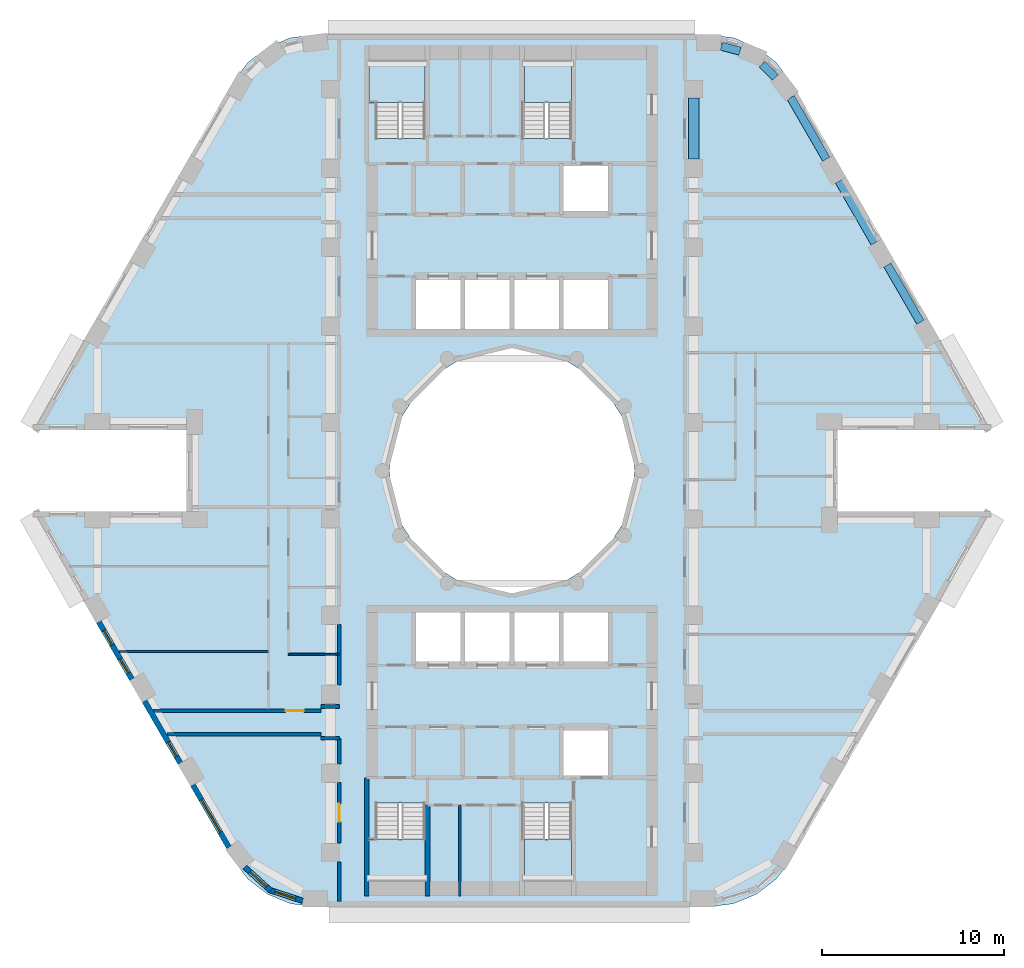
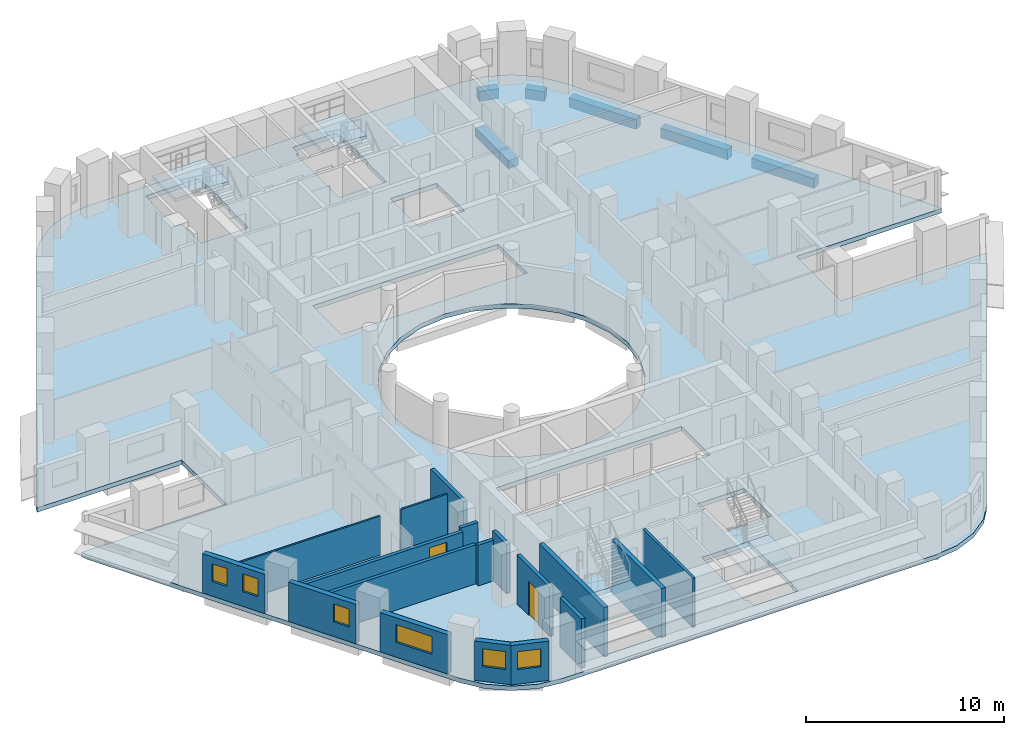
# One storey, part 2 of 12: 18 walls, 6 beams, 6 windows, 5 slabs, 2 doors, 8 openings, 4 elements without a shape of their own.
"""IFC4 building model written with IfcOpenShell, lengths in metres."""

from ifc_helpers import new_model, si_unit, direction, frame, frame_2d, origin, origin_2d, place, context, subcontext, project, spatial, polyline, rectangle, outline, extrude, material, layer, layer_set, material_profile, profile_set, type_object, element, fill, aggregate, save


model = new_model("IFC4")

# Units and contexts
model_context = context("Model", 3, precision=1e-05, world=origin(), true_north=direction((0.0, 1.0)))
body_context = subcontext(model_context, "Body", "Model", "MODEL_VIEW")
ifc_project = project(units=[si_unit("LENGTHUNIT", "METRE"), si_unit("AREAUNIT", "SQUARE_METRE"), si_unit("VOLUMEUNIT", "CUBIC_METRE"), si_unit("PLANEANGLEUNIT", "RADIAN"), si_unit("MASSUNIT", "GRAM", prefix="KILO")], contexts=[model_context])

# Site, building, storey
site_placement = place(None, origin())
site = spatial("IfcSite", under=ifc_project, at=site_placement, CompositionType="ELEMENT")
building_placement = place(site_placement, origin())
building = spatial("IfcBuilding", under=site, at=building_placement, Name="Nakaniwa Court", CompositionType="ELEMENT")
storey_placement = place(building_placement, frame((0.0, 0.0, 104.10009765625)))
storey = spatial("IfcBuildingStorey", under=building, at=storey_placement, Name="L27", CompositionType="ELEMENT", Elevation=104.10009765625)

# Beams
ifc_material_1 = material(Name="Concrete C80/100", Category="concrete")
ifc_material_profile_1 = material_profile(ifc_material_1, rectangle(XDim=0.449951171875, YDim=0.60009765625, at=origin_2d()), Name="Concrete C80/100 RC 450x600 spandrel beam")
ifc_profile_set_1 = profile_set([ifc_material_profile_1], Name="Concrete C80/100")
beam_type_1 = type_object("IfcBeamType", Name="Concrete C80/100 RC 450x600 spandrel beam", PredefinedType="BEAM", material=ifc_profile_set_1)
beam_1_placement = place(storey_placement, frame((102.472900390625, 88.17578125, -0.5751953125), z_axis=(-0.499988394233, 0.866032104273, 0.0), x_axis=(-0.866032104273, -0.499988394233, 0.0)))
element("IfcBeam", 1, at=beam_1_placement, inside=storey, type_object=beam_type_1, Name="SPANDREL BEAM", PredefinedType="BEAM", context=body_context, shape_type="SweptSolid", body=[
    extrude(rectangle(XDim=0.449951171875, YDim=0.60009765625, at=origin_2d()), origin(), (0.0, 0.0, 1.0), 3.62890625),
])
beam_2_placement = place(storey_placement, frame((99.95849609375, 92.531005859375, -0.5751953125), z_axis=(-0.49999161165, 0.866030246746, 0.0), x_axis=(-0.866030246746, -0.49999161165, 0.0)))
element("IfcBeam", 2, at=beam_2_placement, inside=storey, type_object=beam_type_1, Name="SPANDREL BEAM", PredefinedType="BEAM", context=body_context, shape_type="SweptSolid", body=[
    extrude(rectangle(XDim=0.449951171875, YDim=0.60009765625, at=origin_2d()), origin(), (0.0, 0.0, 1.0), 3.92578125),
])
beam_3_placement = place(storey_placement, frame((97.29541015625, 97.143310546875, -0.5751953125), z_axis=(-0.499997407846, 0.86602690036, 0.0), x_axis=(-0.86602690036, -0.499997407846, 0.0)))
element("IfcBeam", 3, at=beam_3_placement, inside=storey, type_object=beam_type_1, Name="SPANDREL BEAM", PredefinedType="BEAM", context=body_context, shape_type="SweptSolid", body=[
    extrude(rectangle(XDim=0.449951171875, YDim=0.60009765625, at=origin_2d()), origin(), (0.0, 0.0, 1.0), 3.919921875),
])
beam_4_placement = place(storey_placement, frame((94.484130859375, 101.6494140625, -0.5751953125), z_axis=(-0.705911336947, 0.7083002078, 0.0), x_axis=(-0.7083002078, -0.705911336947, 0.0)))
element("IfcBeam", 4, at=beam_4_placement, inside=storey, type_object=beam_type_1, Name="SPANDREL BEAM", PredefinedType="BEAM", context=body_context, shape_type="SweptSolid", body=[
    extrude(rectangle(XDim=0.449951171875, YDim=0.60009765625, at=origin_2d()), origin(), (0.0, 0.0, 1.0), 1.02197265625),
])
beam_5_placement = place(storey_placement, frame((92.544921875, 103.091796875, -0.5751953125), z_axis=(-0.966315487466, 0.257360406209, 0.0), x_axis=(-0.257360406209, -0.966315487466, 0.0)))
element("IfcBeam", 5, at=beam_5_placement, inside=storey, type_object=beam_type_1, Name="SPANDREL BEAM", PredefinedType="BEAM", context=body_context, shape_type="SweptSolid", body=[
    extrude(rectangle(XDim=0.449951171875, YDim=0.60009765625, at=origin_2d()), origin(), (0.0, 0.0, 1.0), 1.055908203125),
])
ifc_material_profile_2 = material_profile(ifc_material_1, rectangle(XDim=0.60009765625, YDim=0.5, at=origin_2d()), Name="Concrete C80/100 RC 600x500 ring beam")
ifc_profile_set_2 = profile_set([ifc_material_profile_2], Name="Concrete C80/100")
beam_type_2 = type_object("IfcBeamType", Name="Concrete C80/100 RC 600x500 ring beam", PredefinedType="BEAM", material=ifc_profile_set_2)
beam_6_placement = place(storey_placement, frame((90.0, 97.14990234375, -0.525146484375), z_axis=(0.0, 1.0, 0.0), x_axis=(-1.0, 0.0, 0.0)))
element("IfcBeam", 6, at=beam_6_placement, inside=storey, type_object=beam_type_2, Name="RING BEAM", PredefinedType="BEAM", context=body_context, shape_type="SweptSolid", body=[
    extrude(rectangle(XDim=0.60009765625, YDim=0.5, at=origin_2d()), origin(), (0.0, 0.0, 1.0), 3.35009765625),
])

# Slab
ifc_layer_1 = layer(ifc_material_1, 0.27490234375)
ifc_layer_set_1 = layer_set([ifc_layer_1], Name="Concrete C80/100")
slab_type_1 = type_object("IfcSlabType", Name="Concrete C80/100 post tensioned floor slab 275", PredefinedType="FLOOR", material=ifc_layer_set_1)
slab_1_placement = place(storey_placement, frame((0.0, 0.0, -0.275146484375)))
element("IfcSlab", 7, at=slab_1_placement, inside=storey, type_object=slab_type_1, Name="FLOOR SLAB", PredefinedType="FLOOR", context=body_context, shape_type="SweptSolid", body=[
    extrude(outline(polyline([(97.908447265625, 82.25), (106.356689453125, 82.25), (106.211669921875, 82.60009765625), (95.357421875, 101.39990234375), (94.531005859375, 102.47705078125), (93.4541015625, 103.30322265625), (92.199951171875, 103.82275390625), (90.854248046875, 104.0), (69.145751953125, 104.0), (67.800048828125, 103.82275390625), (66.5458984375, 103.30322265625), (65.468994140625, 102.47705078125), (64.642578125, 101.39990234375), (53.788330078125, 82.60009765625), (53.643310546875, 82.25), (62.091552734375, 82.25), (62.091552734375, 77.75), (53.643310546875, 77.75), (53.788330078125, 77.39990234375), (64.642578125, 58.60009765625), (65.468994140625, 57.52294921875), (66.5458984375, 56.69677734375), (67.800048828125, 56.17724609375), (69.145751953125, 56.0), (90.854248046875, 56.0), (92.199951171875, 56.17724609375), (93.4541015625, 56.69677734375), (94.531005859375, 57.52294921875), (95.357421875, 58.60009765625), (106.211669921875, 77.39990234375), (106.356689453125, 77.75), (97.908447265625, 77.75), (97.908447265625, 82.25)]), holes=[polyline([(81.501953125, 86.580810546875), (80.0, 86.75), (78.498046875, 86.580810546875), (77.0712890625, 86.08154296875), (75.79150390625, 85.27734375), (74.72265625, 84.20849609375), (73.91845703125, 82.9287109375), (73.419189453125, 81.501953125), (73.25, 80.0), (73.419189453125, 78.498046875), (73.91845703125, 77.0712890625), (74.72265625, 75.79150390625), (75.79150390625, 74.72265625), (77.0712890625, 73.91845703125), (78.498046875, 73.419189453125), (80.0, 73.25), (81.501953125, 73.419189453125), (82.9287109375, 73.91845703125), (84.20849609375, 74.72265625), (85.27734375, 75.79150390625), (86.08154296875, 77.0712890625), (86.580810546875, 78.498046875), (86.75, 80.0), (86.580810546875, 81.501953125), (86.08154296875, 82.9287109375), (85.27734375, 84.20849609375), (84.20849609375, 85.27734375), (82.9287109375, 86.08154296875), (81.501953125, 86.580810546875)]), polyline([(75.264892578125, 57.360107421875), (75.264892578125, 59.764892578125), (75.22509765625, 59.764892578125), (75.22509765625, 61.7099609375), (72.47509765625, 61.7099609375), (72.47509765625, 59.764892578125), (72.0849609375, 59.764892578125), (72.0849609375, 57.360107421875), (72.125, 57.360107421875), (72.125, 56.72509765625), (75.22509765625, 56.72509765625), (75.22509765625, 57.324951171875), (75.22509765625, 57.360107421875), (75.264892578125, 57.360107421875)]), polyline([(80.0, 69.300048828125), (82.699951171875, 69.300048828125), (85.39990234375, 69.300048828125), (85.39990234375, 72.199951171875), (82.699951171875, 72.199951171875), (80.0, 72.199951171875), (77.300048828125, 72.199951171875), (74.60009765625, 72.199951171875), (74.60009765625, 69.300048828125), (77.300048828125, 69.300048828125), (80.0, 69.300048828125)]), polyline([(80.0, 87.800048828125), (82.699951171875, 87.800048828125), (85.39990234375, 87.800048828125), (85.39990234375, 90.699951171875), (82.699951171875, 90.699951171875), (80.0, 90.699951171875), (77.300048828125, 90.699951171875), (74.60009765625, 90.699951171875), (74.60009765625, 87.800048828125), (77.300048828125, 87.800048828125), (80.0, 87.800048828125)]), polyline([(75.264892578125, 100.235107421875), (75.264892578125, 102.639892578125), (75.22509765625, 102.639892578125), (75.22509765625, 102.675048828125), (75.22509765625, 103.27490234375), (72.125, 103.27490234375), (72.125, 102.639892578125), (72.0849609375, 102.639892578125), (72.0849609375, 100.235107421875), (72.47509765625, 100.235107421875), (72.47509765625, 98.2900390625), (75.22509765625, 98.2900390625), (75.22509765625, 100.235107421875), (75.264892578125, 100.235107421875)]), polyline([(83.27490234375, 61.7099609375), (80.52490234375, 61.7099609375), (80.52490234375, 57.324951171875), (80.675048828125, 57.324951171875), (80.675048828125, 56.72509765625), (83.27490234375, 56.72509765625), (83.27490234375, 57.324951171875), (83.27490234375, 57.360107421875), (83.31494140625, 57.360107421875), (83.31494140625, 59.764892578125), (83.27490234375, 59.764892578125), (83.27490234375, 61.7099609375)]), polyline([(85.39990234375, 65.89990234375), (82.699951171875, 65.89990234375), (82.699951171875, 63.10009765625), (85.39990234375, 63.10009765625), (85.39990234375, 65.89990234375)]), polyline([(85.39990234375, 96.89990234375), (82.699951171875, 96.89990234375), (82.699951171875, 94.10009765625), (85.39990234375, 94.10009765625), (85.39990234375, 96.89990234375)]), polyline([(83.27490234375, 100.235107421875), (83.31494140625, 100.235107421875), (83.31494140625, 102.639892578125), (83.27490234375, 102.639892578125), (83.27490234375, 102.675048828125), (83.27490234375, 103.27490234375), (80.675048828125, 103.27490234375), (80.675048828125, 102.675048828125), (80.52490234375, 102.675048828125), (80.52490234375, 98.2900390625), (83.27490234375, 98.2900390625), (83.27490234375, 100.235107421875)])]), origin(), (0.0, 0.0, 1.0), 0.275146484375),
])

# Stair, slab
stair_type = type_object("IfcStairType", Name="Dog leg stair 1300 wide 18 risers", PredefinedType="HALF_TURN_STAIR", material=ifc_material_1)
stair_1_placement = place(storey_placement, origin())
stair_1 = element("IfcStair", 8, at=stair_1_placement, inside=storey, type_object=stair_type, Name="L27 Stair ST1", PredefinedType="HALF_TURN_STAIR")
ifc_layer_2 = layer(ifc_material_1, 0.199951171875)
ifc_layer_set_2 = layer_set([ifc_layer_2], Name="Concrete C80/100")
slab_type_2 = type_object("IfcSlabType", Name="Stair landing concrete", PredefinedType="LANDING", material=ifc_layer_set_2)
slab_2_placement = place(storey_placement, frame((0.0, 0.0, 1.449951171875)))
slab_2 = element("IfcSlab", 9, at=slab_2_placement, type_object=slab_type_2, Name="ST1 landing 1", PredefinedType="LANDING", context=body_context, shape_type="SweptSolid", body=[
    extrude(outline(polyline([(75.22509765625, 100.27490234375), (75.22509765625, 102.60009765625), (72.125, 102.60009765625), (72.125, 100.27490234375), (75.22509765625, 100.27490234375)])), origin(), (0.0, 0.0, 1.0), 0.199951171875),
])
aggregate(stair_1, [slab_2])

stair_2_placement = place(storey_placement, origin())
stair_2 = element("IfcStair", 10, at=stair_2_placement, inside=storey, type_object=stair_type, Name="L27 Stair ST2", PredefinedType="HALF_TURN_STAIR")
slab_3_placement = place(storey_placement, frame((0.0, 0.0, 1.449951171875)))
slab_3 = element("IfcSlab", 11, at=slab_3_placement, type_object=slab_type_2, Name="ST2 landing 1", PredefinedType="LANDING", context=body_context, shape_type="SweptSolid", body=[
    extrude(outline(polyline([(83.27490234375, 100.27490234375), (83.27490234375, 102.60009765625), (80.675048828125, 102.60009765625), (80.675048828125, 100.27490234375), (83.27490234375, 100.27490234375)])), origin(), (0.0, 0.0, 1.0), 0.199951171875),
])
aggregate(stair_2, [slab_3])

stair_3_placement = place(storey_placement, origin())
stair_3 = element("IfcStair", 12, at=stair_3_placement, inside=storey, type_object=stair_type, Name="L27 Stair ST3", PredefinedType="HALF_TURN_STAIR")
slab_4_placement = place(storey_placement, frame((0.0, 0.0, 1.449951171875)))
slab_4 = element("IfcSlab", 13, at=slab_4_placement, type_object=slab_type_2, Name="ST3 landing 1", PredefinedType="LANDING", context=body_context, shape_type="SweptSolid", body=[
    extrude(outline(polyline([(75.22509765625, 57.39990234375), (75.22509765625, 59.72509765625), (72.125, 59.72509765625), (72.125, 57.39990234375), (75.22509765625, 57.39990234375)])), origin(), (0.0, 0.0, 1.0), 0.199951171875),
])
aggregate(stair_3, [slab_4])

stair_4_placement = place(storey_placement, origin())
stair_4 = element("IfcStair", 14, at=stair_4_placement, inside=storey, type_object=stair_type, Name="L27 Stair ST4", PredefinedType="HALF_TURN_STAIR")
slab_5_placement = place(storey_placement, frame((0.0, 0.0, 1.449951171875)))
slab_5 = element("IfcSlab", 15, at=slab_5_placement, type_object=slab_type_2, Name="ST4 landing 1", PredefinedType="LANDING", context=body_context, shape_type="SweptSolid", body=[
    extrude(outline(polyline([(83.27490234375, 57.39990234375), (83.27490234375, 59.72509765625), (80.675048828125, 59.72509765625), (80.675048828125, 57.39990234375), (83.27490234375, 57.39990234375)])), origin(), (0.0, 0.0, 1.0), 0.199951171875),
])
aggregate(stair_4, [slab_5])

# Walls
ifc_material_2 = material(Name="Acoustic double stud partition")
ifc_layer_3 = layer(ifc_material_2, 0.199951171875)
ifc_layer_set_3 = layer_set([ifc_layer_3], Name="Acoustic double stud partition")
wall_type_1 = type_object("IfcWallType", Name="Acoustic double stud partition 200", PredefinedType="PARTITIONING", material=ifc_layer_set_3)
wall_1_placement = place(storey_placement, frame((61.005126953125, 65.5, 0.0), z_axis=(0.0, 0.0, 1.0), x_axis=(1.0, 0.0, 0.0)))
element("IfcWall", 16, at=wall_1_placement, inside=storey, type_object=wall_type_1, Name="Partition PW-089", PredefinedType="PARTITIONING", context=body_context, shape_type="SweptSolid", body=[
    extrude(rectangle(XDim=8.494873046875, YDim=0.199951171875, at=frame_2d((4.24755859375, 0.0))), origin(), (0.0, 0.0, 1.0), 2.40478515625),
])
for number, where, z_axis, x_axis, name in (
    (17, (69.5, 65.27490234375, 0.0), (0.0, 0.0, 1.0), (1.0, 0.0, 0.0), "Partition PW-091"),
    (18, (69.5, 67.02490234375, 0.0), (0.0, 0.0, 1.0), (1.0, 0.0, 0.0), "Partition PW-093"),
):
    element("IfcWall", number, at=place(storey_placement, frame(where, z_axis=z_axis, x_axis=x_axis)), inside=storey, type_object=wall_type_1, Name=name, PredefinedType="PARTITIONING", context=body_context, shape_type="SweptSolid", body=[
        extrude(rectangle(XDim=1.0, YDim=0.199951171875, at=frame_2d((0.5, 0.0))), origin(), (0.0, 0.0, 1.0), 2.5048828125),
    ])

# Wall, opening, door
wall_2_placement = place(storey_placement, frame((60.254638671875, 66.800048828125, 0.0), z_axis=(0.0, 0.0, 1.0), x_axis=(1.0, 0.0, 0.0)))
wall_2 = element("IfcWall", 19, at=wall_2_placement, inside=storey, type_object=wall_type_1, Name="Partition PW-095", PredefinedType="PARTITIONING", context=body_context, shape_type="SweptSolid", body=[
    extrude(rectangle(XDim=9.245361328125, YDim=0.199951171875, at=frame_2d((4.62255859375, 0.0))), origin(), (0.0, 0.0, 1.0), 2.40478515625),
])
opening_1_placement = place(wall_2_placement, frame((7.294921875, 0.0, 0.0)))
opening_1 = element("IfcOpeningElement", 20, at=opening_1_placement, cuts=wall_2, Name="Opening D-01-02", PredefinedType="OPENING", context=body_context, shape_type="SweptSolid", body=[
    extrude(rectangle(XDim=1.0, YDim=2.10009765625, at=frame_2d((0.5, 1.050048828125))), frame((0.0, 0.10986328125, 0.0), z_axis=(0.0, -1.0, 0.0), x_axis=(1.0, 0.0, 0.0)), (0.0, 0.0, 1.0), 0.219970703125),
])
ifc_material_3 = material(Name="Solid core timber door set, black veneer", Category="wood")
door_type_1 = type_object("IfcDoorType", Name="Flat entrance door 1000", OperationType="NOTDEFINED", PredefinedType="DOOR", material=ifc_material_3)
door_1_placement = place(opening_1_placement, origin())
door_1 = element("IfcDoor", 21, at=door_1_placement, inside=storey, type_object=door_type_1, Name="Door D-01-02 L27-036", OperationType="SINGLE_SWING_LEFT", OverallHeight=2.10009765625, OverallWidth=1.0, PredefinedType="DOOR", context=body_context, shape_type="SweptSolid", body=[
    extrude(rectangle(XDim=1.0, YDim=2.10009765625, at=frame_2d((0.5, 1.050048828125))), frame((0.0, 0.02490234375, 0.0), z_axis=(0.0, -1.0, 0.0), x_axis=(1.0, 0.0, 0.0)), (0.0, 0.0, 1.0), 0.050048828125),
])
fill(opening_1, door_1)

# Wall
wall_3_placement = place(storey_placement, frame((70.5, 56.300048828125, 0.0), z_axis=(0.0, 0.0, 1.0), x_axis=(0.0, 1.0, 0.0)))
element("IfcWall", 22, at=wall_3_placement, inside=storey, type_object=wall_type_1, Name="Partition PW-097", PredefinedType="PARTITIONING", context=body_context, shape_type="SweptSolid", body=[
    extrude(rectangle(XDim=2.182861328125, YDim=0.199951171875, at=frame_2d((1.09130859375, 0.0))), origin(), (0.0, 0.0, 1.0), 3.02490234375),
])

# Wall, opening, door
wall_4_placement = place(storey_placement, frame((70.5, 59.51708984375, 0.0), z_axis=(0.0, 0.0, 1.0), x_axis=(0.0, 1.0, 0.0)))
wall_4 = element("IfcWall", 23, at=wall_4_placement, inside=storey, type_object=wall_type_1, Name="Partition PW-098", PredefinedType="PARTITIONING", context=body_context, shape_type="SweptSolid", body=[
    extrude(rectangle(XDim=3.31591796875, YDim=0.199951171875, at=frame_2d((1.657958984375, 0.0))), origin(), (0.0, 0.0, 1.0), 3.02490234375),
])
opening_2_placement = place(wall_4_placement, frame((1.157958984375, 0.0, 0.0)))
opening_2 = element("IfcOpeningElement", 24, at=opening_2_placement, cuts=wall_4, Name="Opening D-02-03", PredefinedType="OPENING", context=body_context, shape_type="SweptSolid", body=[
    extrude(rectangle(XDim=1.0, YDim=2.10009765625, at=frame_2d((0.5, 1.050048828125))), frame((0.0, 0.10986328125, 0.0), z_axis=(0.0, -1.0, 0.0), x_axis=(1.0, 0.0, 0.0)), (0.0, 0.0, 1.0), 0.219970703125),
])
door_type_2 = type_object("IfcDoorType", Name="Internal door 1000", OperationType="NOTDEFINED", PredefinedType="DOOR", material=ifc_material_3)
door_2_placement = place(opening_2_placement, origin())
door_2 = element("IfcDoor", 25, at=door_2_placement, inside=storey, type_object=door_type_2, Name="Door D-02-03 L27-035", OperationType="SINGLE_SWING_RIGHT", OverallHeight=2.10009765625, OverallWidth=1.0, PredefinedType="DOOR", context=body_context, shape_type="SweptSolid", body=[
    extrude(rectangle(XDim=1.0, YDim=2.10009765625, at=frame_2d((0.5, 1.050048828125))), frame((0.0, 0.02490234375, 0.0), z_axis=(0.0, -1.0, 0.0), x_axis=(1.0, 0.0, 0.0)), (0.0, 0.0, 1.0), 0.050048828125),
])
fill(opening_2, door_2)

# Walls
wall_5_placement = place(storey_placement, frame((70.5, 63.866943359375, 0.0), z_axis=(0.0, 0.0, 1.0), x_axis=(0.0, 1.0, 0.0)))
element("IfcWall", 26, at=wall_5_placement, inside=storey, type_object=wall_type_1, Name="Partition PW-099", PredefinedType="PARTITIONING", context=body_context, shape_type="SweptSolid", body=[
    extrude(rectangle(XDim=1.4111328125, YDim=0.199951171875, at=frame_2d((0.70556640625, 0.0))), origin(), (0.0, 0.0, 1.0), 3.02490234375),
])
wall_6_placement = place(storey_placement, frame((70.5, 68.217041015625, 0.0), z_axis=(0.0, 0.0, 1.0), x_axis=(0.0, 1.0, 0.0)))
element("IfcWall", 27, at=wall_6_placement, inside=storey, type_object=wall_type_1, Name="Partition PW-100", PredefinedType="PARTITIONING", context=body_context, shape_type="SweptSolid", body=[
    extrude(rectangle(XDim=3.31591796875, YDim=0.199951171875, at=frame_2d((1.657958984375, 0.0))), origin(), (0.0, 0.0, 1.0), 3.02490234375),
])

# Wall, openings, windows
ifc_material_4 = material(Name="Charcoal ceramic cladding")
ifc_layer_4 = layer(ifc_material_4, 0.02, Name="Ceramic cladding")
ifc_material_5 = material(Name="Ventilated air cavity")
ifc_layer_5 = layer(ifc_material_5, 0.04, ventilated=True, Name="Ventilated cavity")
ifc_material_6 = material(Name="Mineral wool insulation")
ifc_layer_6 = layer(ifc_material_6, 0.1, Name="Insulation")
ifc_material_7 = material(Name="Cement bonded sheathing board")
ifc_layer_7 = layer(ifc_material_7, 0.012, Name="Sheathing")
ifc_material_8 = material(Name="Cold-formed galvanised stud frame with mineral wool infill")
ifc_layer_8 = layer(ifc_material_8, 0.1, Name="Stud frame")
ifc_material_9 = material(Name="Fire-rated gypsum plasterboard lining")
ifc_layer_9 = layer(ifc_material_9, 0.028, Name="Lining")
ifc_layer_set_4 = layer_set([ifc_layer_4, ifc_layer_5, ifc_layer_6, ifc_layer_7, ifc_layer_8, ifc_layer_9], Name="Charcoal ceramic faced external wall system")
wall_type_2 = type_object("IfcWallType", Name="Black ceramic faced external wall 300", PredefinedType="SOLIDWALL", material=ifc_layer_set_4)
wall_7_placement = place(storey_placement, frame((57.265380859375, 71.677490234375, 0.0), z_axis=(0.0, 0.0, 1.0), x_axis=(0.500009139881, -0.866020126807, 0.0)))
wall_7 = element("IfcWall", 28, at=wall_7_placement, inside=storey, type_object=wall_type_2, Name="L27 external wall 21", PredefinedType="SOLIDWALL", context=body_context, shape_type="SweptSolid", body=[
    extrude(rectangle(XDim=3.63671875, YDim=0.300048828125, at=frame_2d((1.818359375, 0.0))), origin(), (0.0, 0.0, 1.0), 2.4248046875),
])
opening_3_placement = place(wall_7_placement, frame((0.5498046875, 0.0, 0.89990234375)))
opening_3 = element("IfcOpeningElement", 29, at=opening_3_placement, cuts=wall_7, Name="Opening W9.23", PredefinedType="OPENING", context=body_context, shape_type="SweptSolid", body=[
    extrude(rectangle(XDim=0.89990234375, YDim=1.10009765625, at=frame_2d((0.449951171875, 0.550048828125))), frame((0.0, 0.159912109375, 0.0), z_axis=(0.0, -1.0, 0.0), x_axis=(1.0, 0.0, 0.0)), (0.0, 0.0, 1.0), 0.320068359375),
])
opening_4_placement = place(wall_7_placement, frame((2.34423828125, 0.0, 0.89990234375)))
opening_4 = element("IfcOpeningElement", 30, at=opening_4_placement, cuts=wall_7, Name="Opening W9.24", PredefinedType="OPENING", context=body_context, shape_type="SweptSolid", body=[
    extrude(rectangle(XDim=0.89990234375, YDim=1.10009765625, at=frame_2d((0.449951171875, 0.550048828125))), frame((0.0, 0.159912109375, 0.0), z_axis=(0.0, -1.0, 0.0), x_axis=(1.0, 0.0, 0.0)), (0.0, 0.0, 1.0), 0.320068359375),
])
ifc_material_10 = material(Name="Black anodised aluminium frame with dark low-E laminated double glazing", Category="aluminium")
window_type_1 = type_object("IfcWindowType", Name="Dark glass window 900x1100 sill 900", PartitioningType="SINGLE_PANEL", PredefinedType="WINDOW", material=ifc_material_10)
window_1_placement = place(opening_3_placement, origin())
window_1 = element("IfcWindow", 31, at=window_1_placement, inside=storey, type_object=window_type_1, Name="L27 living window 21-0", OverallHeight=1.10009765625, OverallWidth=0.89990234375, PartitioningType="SINGLE_PANEL", PredefinedType="WINDOW", context=body_context, shape_type="SweptSolid", body=[
    extrude(rectangle(XDim=0.89990234375, YDim=1.10009765625, at=frame_2d((0.449951171875, 0.550048828125))), frame((0.0, 0.030029296875, 0.0), z_axis=(0.0, -1.0, 0.0), x_axis=(1.0, 0.0, 0.0)), (0.0, 0.0, 1.0), 0.06005859375),
])
fill(opening_3, window_1)
window_2_placement = place(opening_4_placement, origin())
window_2 = element("IfcWindow", 32, at=window_2_placement, inside=storey, type_object=window_type_1, Name="L27 bedroom window 21-1", OverallHeight=1.10009765625, OverallWidth=0.89990234375, PartitioningType="SINGLE_PANEL", PredefinedType="WINDOW", context=body_context, shape_type="SweptSolid", body=[
    extrude(rectangle(XDim=0.89990234375, YDim=1.10009765625, at=frame_2d((0.449951171875, 0.550048828125))), frame((0.0, 0.030029296875, 0.0), z_axis=(0.0, -1.0, 0.0), x_axis=(1.0, 0.0, 0.0)), (0.0, 0.0, 1.0), 0.06005859375),
])
fill(opening_4, window_2)

# Wall, opening, window
wall_8_placement = place(storey_placement, frame((59.77978515625, 67.322509765625, 0.0), z_axis=(0.0, 0.0, 1.0), x_axis=(0.499957037901, -0.866050206543, 0.0)))
wall_8 = element("IfcWall", 33, at=wall_8_placement, inside=storey, type_object=wall_type_2, Name="L27 external wall 22", PredefinedType="SOLIDWALL", context=body_context, shape_type="SweptSolid", body=[
    extrude(rectangle(XDim=3.933837890625, YDim=0.300048828125, at=frame_2d((1.966796875, 0.0))), origin(), (0.0, 0.0, 1.0), 2.4248046875),
])
opening_5_placement = place(wall_8_placement, frame((2.606201171875, 0.0, 0.89990234375)))
opening_5 = element("IfcOpeningElement", 34, at=opening_5_placement, cuts=wall_8, Name="Opening W9.25", PredefinedType="OPENING", context=body_context, shape_type="SweptSolid", body=[
    extrude(rectangle(XDim=0.89990234375, YDim=1.10009765625, at=frame_2d((0.449951171875, 0.550048828125))), frame((0.0, 0.159912109375, 0.0), z_axis=(0.0, -1.0, 0.0), x_axis=(1.0, 0.0, 0.0)), (0.0, 0.0, 1.0), 0.320068359375),
])
window_3_placement = place(opening_5_placement, origin())
window_3 = element("IfcWindow", 35, at=window_3_placement, inside=storey, type_object=window_type_1, Name="L27 habitable room window 22-2", OverallHeight=1.10009765625, OverallWidth=0.89990234375, PartitioningType="SINGLE_PANEL", PredefinedType="WINDOW", context=body_context, shape_type="SweptSolid", body=[
    extrude(rectangle(XDim=0.89990234375, YDim=1.10009765625, at=frame_2d((0.449951171875, 0.550048828125))), frame((0.0, 0.030029296875, 0.0), z_axis=(0.0, -1.0, 0.0), x_axis=(1.0, 0.0, 0.0)), (0.0, 0.0, 1.0), 0.06005859375),
])
fill(opening_5, window_3)

wall_9_placement = place(storey_placement, frame((62.442626953125, 62.710205078125, 0.0), z_axis=(0.0, 0.0, 1.0), x_axis=(0.500043828347, -0.866000097998, 0.0)))
wall_9 = element("IfcWall", 36, at=wall_9_placement, inside=storey, type_object=wall_type_2, Name="L27 external wall 23", PredefinedType="SOLIDWALL", context=body_context, shape_type="SweptSolid", body=[
    extrude(rectangle(XDim=3.967529296875, YDim=0.300048828125, at=frame_2d((1.98388671875, 0.0))), origin(), (0.0, 0.0, 1.0), 2.4248046875),
])
opening_6_placement = place(wall_9_placement, frame((0.92236328125, 0.0, 0.89990234375)))
opening_6 = element("IfcOpeningElement", 37, at=opening_6_placement, cuts=wall_9, Name="Opening W7.26", PredefinedType="OPENING", context=body_context, shape_type="SweptSolid", body=[
    extrude(rectangle(XDim=2.10009765625, YDim=1.10009765625, at=frame_2d((1.050048828125, 0.550048828125))), frame((0.0, 0.159912109375, 0.0), z_axis=(0.0, -1.0, 0.0), x_axis=(1.0, 0.0, 0.0)), (0.0, 0.0, 1.0), 0.320068359375),
])
window_type_2 = type_object("IfcWindowType", Name="Dark glass window 2100x1100 sill 900", PartitioningType="SINGLE_PANEL", PredefinedType="WINDOW", material=ifc_material_10)
window_4_placement = place(opening_6_placement, origin())
window_4 = element("IfcWindow", 38, at=window_4_placement, inside=storey, type_object=window_type_2, Name="L27 habitable room window 23-0", OverallHeight=1.10009765625, OverallWidth=2.10009765625, PartitioningType="SINGLE_PANEL", PredefinedType="WINDOW", context=body_context, shape_type="SweptSolid", body=[
    extrude(rectangle(XDim=2.10009765625, YDim=1.10009765625, at=frame_2d((1.050048828125, 0.550048828125))), frame((0.0, 0.030029296875, 0.0), z_axis=(0.0, -1.0, 0.0), x_axis=(1.0, 0.0, 0.0)), (0.0, 0.0, 1.0), 0.06005859375),
])
fill(opening_6, window_4)

wall_10_placement = place(storey_placement, frame((65.294921875, 58.18603515625, 0.0), z_axis=(0.0, 0.0, 1.0), x_axis=(0.740421367382, -0.672142989791, 0.0)))
wall_10 = element("IfcWall", 39, at=wall_10_placement, inside=storey, type_object=wall_type_2, Name="L27 external wall 24", PredefinedType="SOLIDWALL", context=body_context, shape_type="SweptSolid", body=[
    extrude(rectangle(XDim=1.92724609375, YDim=0.300048828125, at=frame_2d((0.963623046875, 0.0))), origin(), (0.0, 0.0, 1.0), 2.4248046875),
])
opening_7_placement = place(wall_10_placement, frame((0.39111328125, 0.0, 0.89990234375)))
opening_7 = element("IfcOpeningElement", 40, at=opening_7_placement, cuts=wall_10, Name="Opening W6.27", PredefinedType="OPENING", context=body_context, shape_type="SweptSolid", body=[
    extrude(rectangle(XDim=1.199951171875, YDim=1.10009765625, at=frame_2d((0.60009765625, 0.550048828125))), frame((0.0, 0.159912109375, 0.0), z_axis=(0.0, -1.0, 0.0), x_axis=(1.0, 0.0, 0.0)), (0.0, 0.0, 1.0), 0.320068359375),
])
window_type_3 = type_object("IfcWindowType", Name="Dark glass window 1200x1100 sill 900", PartitioningType="SINGLE_PANEL", PredefinedType="WINDOW", material=ifc_material_10)
window_5_placement = place(opening_7_placement, origin())
window_5 = element("IfcWindow", 41, at=window_5_placement, inside=storey, type_object=window_type_3, Name="L27 habitable room window 24-0", OverallHeight=1.10009765625, OverallWidth=1.199951171875, PartitioningType="SINGLE_PANEL", PredefinedType="WINDOW", context=body_context, shape_type="SweptSolid", body=[
    extrude(rectangle(XDim=1.199951171875, YDim=1.10009765625, at=frame_2d((0.60009765625, 0.550048828125))), frame((0.0, 0.030029296875, 0.0), z_axis=(0.0, -1.0, 0.0), x_axis=(1.0, 0.0, 0.0)), (0.0, 0.0, 1.0), 0.06005859375),
])
fill(opening_7, window_5)

wall_11_placement = place(storey_placement, frame((66.625, 56.939453125, 0.0), z_axis=(0.0, 0.0, 1.0), x_axis=(0.950777961763, -0.309872985958, 0.0)))
wall_11 = element("IfcWall", 42, at=wall_11_placement, inside=storey, type_object=wall_type_2, Name="L27 external wall 25", PredefinedType="SOLIDWALL", context=body_context, shape_type="SweptSolid", body=[
    extrude(rectangle(XDim=1.949951171875, YDim=0.300048828125, at=frame_2d((0.97509765625, 0.0))), origin(), (0.0, 0.0, 1.0), 2.4248046875),
])
opening_8_placement = place(wall_11_placement, frame((0.334716796875, 0.0, 0.89990234375)))
opening_8 = element("IfcOpeningElement", 43, at=opening_8_placement, cuts=wall_11, Name="Opening W6.28", PredefinedType="OPENING", context=body_context, shape_type="SweptSolid", body=[
    extrude(rectangle(XDim=1.199951171875, YDim=1.10009765625, at=frame_2d((0.60009765625, 0.550048828125))), frame((0.0, 0.159912109375, 0.0), z_axis=(0.0, -1.0, 0.0), x_axis=(1.0, 0.0, 0.0)), (0.0, 0.0, 1.0), 0.320068359375),
])
window_6_placement = place(opening_8_placement, origin())
window_6 = element("IfcWindow", 44, at=window_6_placement, inside=storey, type_object=window_type_3, Name="L27 habitable room window 25-0", OverallHeight=1.10009765625, OverallWidth=1.199951171875, PartitioningType="SINGLE_PANEL", PredefinedType="WINDOW", context=body_context, shape_type="SweptSolid", body=[
    extrude(rectangle(XDim=1.199951171875, YDim=1.10009765625, at=frame_2d((0.60009765625, 0.550048828125))), frame((0.0, 0.030029296875, 0.0), z_axis=(0.0, -1.0, 0.0), x_axis=(1.0, 0.0, 0.0)), (0.0, 0.0, 1.0), 0.06005859375),
])
fill(opening_8, window_6)

# Walls
ifc_material_11 = material(Name="Blockwork partition", Category="masonry")
ifc_layer_10 = layer(ifc_material_11, 0.14990234375)
ifc_layer_set_5 = layer_set([ifc_layer_10], Name="Blockwork partition")
wall_type_3 = type_object("IfcWallType", Name="Blockwork partition 150", PredefinedType="PARTITIONING", material=ifc_layer_set_5)
wall_12_placement = place(storey_placement, frame((77.117919921875, 56.60009765625, 0.0), z_axis=(0.0, 0.0, 1.0), x_axis=(0.0, 1.0, 0.0)))
element("IfcWall", 45, at=wall_12_placement, inside=storey, type_object=wall_type_3, Name="Partition PW-067", PredefinedType="PARTITIONING", context=body_context, shape_type="SweptSolid", body=[
    extrude(rectangle(XDim=5.0, YDim=0.14990234375, at=frame_2d((2.5, 0.0))), origin(), (0.0, 0.0, 1.0), 3.02490234375),
])
ifc_layer_11 = layer(ifc_material_1, 0.25)
ifc_layer_set_6 = layer_set([ifc_layer_11], Name="Concrete C80/100")
wall_type_4 = type_object("IfcWallType", Name="Concrete core wall 250 C80", PredefinedType="SHEAR", material=ifc_layer_set_6)
wall_13_placement = place(storey_placement, frame((72.0, 56.60009765625, -0.275146484375), z_axis=(0.0, 0.0, 1.0), x_axis=(0.0, 1.0, 0.0)))
element("IfcWall", 46, at=wall_13_placement, inside=storey, type_object=wall_type_4, Name="Core wall SW-62", PredefinedType="SHEAR", context=body_context, shape_type="SweptSolid", body=[
    extrude(rectangle(XDim=6.5, YDim=0.25, at=frame_2d((3.25, 0.0))), origin(), (0.0, 0.0, 1.0), 3.300048828125),
])
ifc_layer_12 = layer(ifc_material_1, 0.25)
ifc_layer_set_7 = layer_set([ifc_layer_12], Name="Concrete C80/100")
wall_type_5 = type_object("IfcWallType", Name="Concrete shaft wall 250 C80", PredefinedType="SHEAR", material=ifc_layer_set_7)
wall_14_placement = place(storey_placement, frame((75.35009765625, 56.60009765625, -0.275146484375), z_axis=(0.0, 0.0, 1.0), x_axis=(0.0, 1.0, 0.0)))
element("IfcWall", 47, at=wall_14_placement, inside=storey, type_object=wall_type_5, Name="Core wall SW-61", PredefinedType="SHEAR", context=body_context, shape_type="SweptSolid", body=[
    extrude(rectangle(XDim=5.0029296875, YDim=0.25, at=frame_2d((2.50146484375, 0.0))), origin(), (0.0, 0.0, 1.0), 3.300048828125),
])
ifc_material_12 = material(Name="Single stud plasterboard partition")
ifc_layer_13 = layer(ifc_material_12, 0.10009765625)
ifc_layer_set_8 = layer_set([ifc_layer_13], Name="Single stud plasterboard partition")
wall_type_6 = type_object("IfcWallType", Name="Single stud plasterboard partition 100", PredefinedType="PARTITIONING", material=ifc_layer_set_8)
wall_15_placement = place(storey_placement, frame((67.699951171875, 69.89990234375, 0.0), z_axis=(0.0, 0.0, 1.0), x_axis=(1.0, 0.0, 0.0)))
element("IfcWall", 48, at=wall_15_placement, inside=storey, type_object=wall_type_6, Name="Partition PW-119", PredefinedType="PARTITIONING", context=body_context, shape_type="SweptSolid", body=[
    extrude(rectangle(XDim=2.800048828125, YDim=0.10009765625, at=frame_2d((1.39990234375, 0.0))), origin(), (0.0, 0.0, 1.0), 2.5048828125),
])
wall_16_placement = place(storey_placement, frame((58.377197265625, 70.052001953125, 0.0), z_axis=(0.0, 0.0, 1.0), x_axis=(1.0, 0.0, 0.0)))
element("IfcWall", 49, at=wall_16_placement, inside=storey, type_object=wall_type_6, Name="Partition PW-124", PredefinedType="PARTITIONING", context=body_context, shape_type="SweptSolid", body=[
    extrude(rectangle(XDim=8.222900390625, YDim=0.10009765625, at=frame_2d((4.111328125, 0.0))), origin(), (0.0, 0.0, 1.0), 2.40478515625),
])

save(model, "model.ifc")
